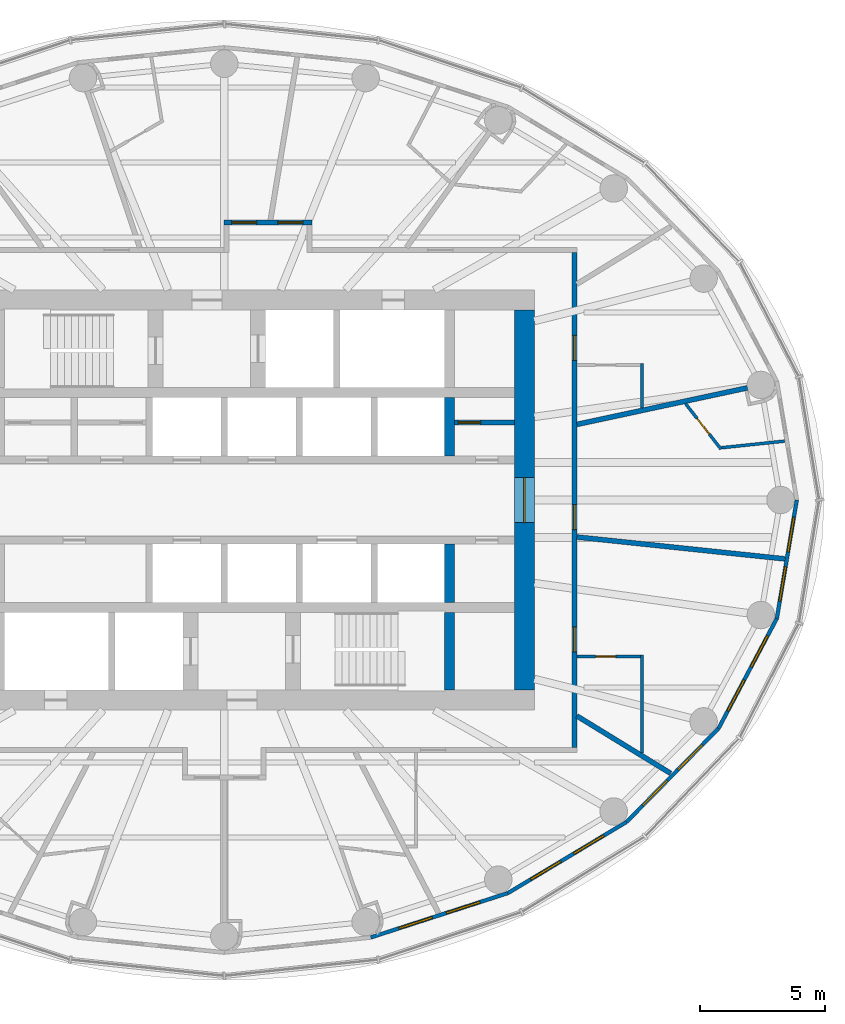
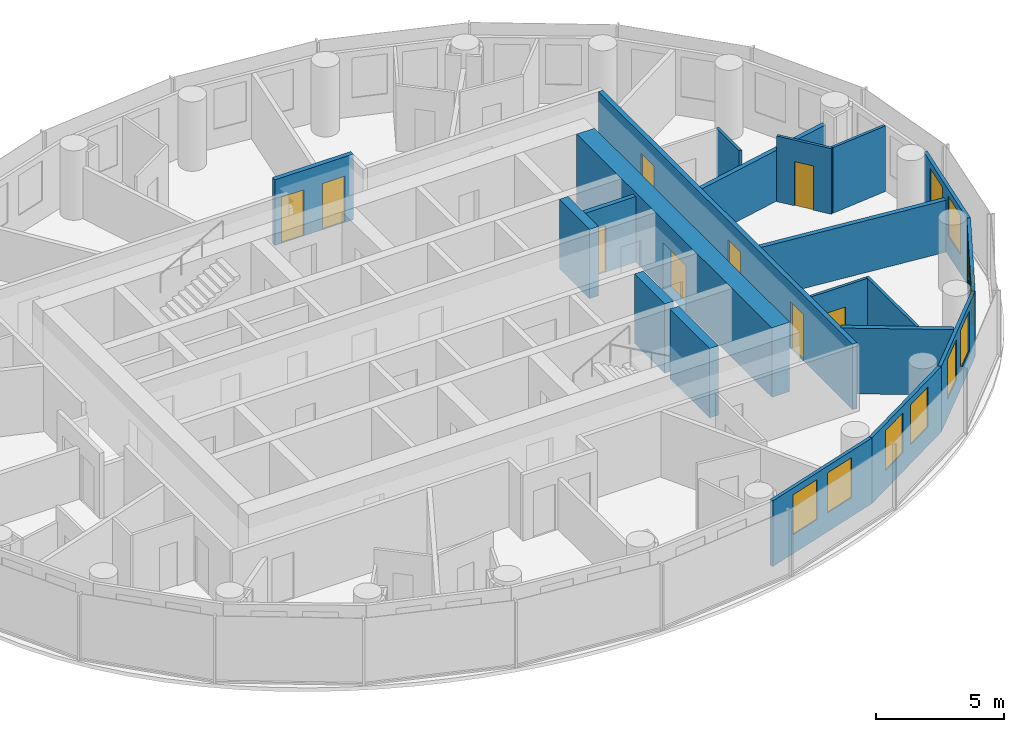
# One storey, part 10 of 13: 20 walls, 10 windows, 9 doors, 19 openings.
"""IFC4 building model written with IfcOpenShell, lengths in metres."""

from ifc_helpers import new_model, si_unit, direction, frame, frame_2d, origin, place, context, subcontext, project, spatial, rectangle, extrude, material, layer, layer_set, type_object, element, fill, save


model = new_model("IFC4")

# Units and contexts
model_context = context("Model", 3, precision=1e-05, world=origin(), true_north=direction((0.0, 1.0)))
body_context = subcontext(model_context, "Body", "Model", "MODEL_VIEW")
ifc_project = project(units=[si_unit("LENGTHUNIT", "METRE"), si_unit("AREAUNIT", "SQUARE_METRE"), si_unit("VOLUMEUNIT", "CUBIC_METRE"), si_unit("PLANEANGLEUNIT", "RADIAN"), si_unit("MASSUNIT", "GRAM", prefix="KILO")], contexts=[model_context])

# Site, building, storey
site_placement = place(None, origin())
site = spatial("IfcSite", under=ifc_project, at=site_placement, CompositionType="ELEMENT")
building_placement = place(site_placement, origin())
building = spatial("IfcBuilding", under=site, at=building_placement, Name="Hankou Lantern Tower", CompositionType="ELEMENT")
storey_placement = place(building_placement, frame((0.0, 0.0, 156.60009765625)))
storey = spatial("IfcBuildingStorey", under=building, at=storey_placement, Name="L41", CompositionType="ELEMENT", Elevation=156.60009765625)

# Wall, opening, door
ifc_material_1 = material(Name="Concrete C60", Category="concrete")
ifc_layer_1 = layer(ifc_material_1, 0.800048828125)
ifc_layer_set_1 = layer_set([ifc_layer_1], Name="Concrete C60")
wall_type_1 = type_object("IfcWallType", Name="CW2 CORE WALL 800", PredefinedType="SHEAR", material=ifc_layer_set_1)
wall_1_placement = place(storey_placement, frame((12.0, -7.60009765625, 0.0), z_axis=(0.0, 0.0, 1.0), x_axis=(0.0, 1.0, 0.0)))
wall_1 = element("IfcWall", 1, at=wall_1_placement, inside=storey, type_object=wall_type_1, Name="Core wall east L41", PredefinedType="SHEAR", context=body_context, shape_type="SweptSolid", body=[
    extrude(rectangle(XDim=15.2001953125, YDim=0.800048828125, at=frame_2d((7.60009765625, 0.0))), origin(), (0.0, 0.0, 1.0), 3.2998046875),
])
opening_1_placement = place(wall_1_placement, frame((6.699951171875, 0.0, 0.0)))
opening_1 = element("IfcOpeningElement", 2, at=opening_1_placement, cuts=wall_1, Name="Opening D6", PredefinedType="OPENING", context=body_context, shape_type="SweptSolid", body=[
    extrude(rectangle(XDim=1.800048828125, YDim=2.199951171875, at=frame_2d((0.89990234375, 1.10009765625))), frame((0.0, 0.409912109375, 0.0), z_axis=(0.0, -1.0, 0.0), x_axis=(1.0, 0.0, 0.0)), (0.0, 0.0, 1.0), 0.820068359375),
])
ifc_material_2 = material(Name="Steel door leaf", Category="steel")
door_type_1 = type_object("IfcDoorType", Name="D6 LIFT LOBBY DOOR 1800X2200", OperationType="DOUBLE_DOOR_DOUBLE_SWING", PredefinedType="DOOR", material=ifc_material_2)
door_1_placement = place(opening_1_placement, origin())
door_1 = element("IfcDoor", 3, at=door_1_placement, inside=storey, type_object=door_type_1, Name="Lift lobby east door", OperationType="DOUBLE_DOOR_DOUBLE_SWING", OverallHeight=2.199951171875, OverallWidth=1.800048828125, PredefinedType="DOOR", context=body_context, shape_type="SweptSolid", body=[
    extrude(rectangle(XDim=1.800048828125, YDim=2.199951171875, at=frame_2d((0.89990234375, 1.10009765625))), frame((0.0, 0.02490234375, 0.0), z_axis=(0.0, -1.0, 0.0), x_axis=(1.0, 0.0, 0.0)), (0.0, 0.0, 1.0), 0.050048828125),
])
fill(opening_1, door_1)

# Walls
ifc_material_3 = material(Name="Concrete C60", Category="concrete")
ifc_layer_2 = layer(ifc_material_3, 0.39990234375)
ifc_layer_set_2 = layer_set([ifc_layer_2], Name="Concrete C60")
wall_type_2 = type_object("IfcWallType", Name="CW4 CORE CROSS WALL 400", PredefinedType="SHEAR", material=ifc_layer_set_2)
for number, where, z_axis, x_axis, name in (
    (4, (9.0, 1.75, 0.0), (0.0, 0.0, 1.0), (0.0, 1.0, 0.0), "Core strip wall L41"),
    (5, (9.0, -4.10009765625, 0.0), (0.0, 0.0, 1.0), (0.0, 1.0, 0.0), "Core strip wall L41"),
):
    element("IfcWall", number, at=place(storey_placement, frame(where, z_axis=z_axis, x_axis=x_axis)), inside=storey, type_object=wall_type_2, Name=name, PredefinedType="SHEAR", context=body_context, shape_type="SweptSolid", body=[
        extrude(rectangle(XDim=2.35009765625, YDim=0.39990234375, at=frame_2d((1.175048828125, 0.0))), origin(), (0.0, 0.0, 1.0), 3.2998046875),
    ])
wall_2_placement = place(storey_placement, frame((9.0, -7.60009765625, 0.0), z_axis=(0.0, 0.0, 1.0), x_axis=(0.0, 1.0, 0.0)))
element("IfcWall", 6, at=wall_2_placement, inside=storey, type_object=wall_type_2, Name="Core strip wall L41", PredefinedType="SHEAR", context=body_context, shape_type="SweptSolid", body=[
    extrude(rectangle(XDim=3.10009765625, YDim=0.39990234375, at=frame_2d((1.550048828125, 0.0))), origin(), (0.0, 0.0, 1.0), 3.2998046875),
])

# Wall, openings, windows
ifc_material_4 = material(Name="Aluminium spandrel panel on steel studs", Category="steel")
ifc_layer_3 = layer(ifc_material_4, 0.14990234375)
ifc_layer_set_3 = layer_set([ifc_layer_3], Name="Aluminium spandrel panel on steel studs")
wall_type_3 = type_object("IfcWallType", Name="EW1 INNER SKIN WALL 150", PredefinedType="ELEMENTEDWALL", material=ifc_layer_set_3)
wall_3_placement = place(storey_placement, frame((5.8603515625, -17.497314453125, 0.0), z_axis=(0.0, 0.0, 1.0), x_axis=(0.951432482129, 0.307857486429, 0.0)))
wall_3 = element("IfcWall", 7, at=wall_3_placement, inside=storey, type_object=wall_type_3, Name="Inner skin R20-R21 L41", PredefinedType="ELEMENTEDWALL", context=body_context, shape_type="SweptSolid", body=[
    extrude(rectangle(XDim=5.76611328125, YDim=0.14990234375, at=frame_2d((2.883056640625, 0.0))), origin(), (0.0, 0.0, 1.0), 3.119873046875),
])
opening_2_placement = place(wall_3_placement, frame((1.18310546875, 0.0, 0.89990234375)))
opening_2 = element("IfcOpeningElement", 8, at=opening_2_placement, cuts=wall_3, Name="Opening W3", PredefinedType="OPENING", context=body_context, shape_type="SweptSolid", body=[
    extrude(rectangle(XDim=1.39990234375, YDim=1.89990234375, at=frame_2d((0.699951171875, 0.949951171875))), frame((0.0, 0.0849609375, 0.0), z_axis=(0.0, -1.0, 0.0), x_axis=(1.0, 0.0, 0.0)), (0.0, 0.0, 1.0), 0.169921875),
])
opening_3_placement = place(wall_3_placement, frame((3.18310546875, 0.0, 0.89990234375)))
opening_3 = element("IfcOpeningElement", 9, at=opening_3_placement, cuts=wall_3, Name="Opening W3", PredefinedType="OPENING", context=body_context, shape_type="SweptSolid", body=[
    extrude(rectangle(XDim=1.39990234375, YDim=1.89990234375, at=frame_2d((0.699951171875, 0.949951171875))), frame((0.0, 0.0849609375, 0.0), z_axis=(0.0, -1.0, 0.0), x_axis=(1.0, 0.0, 0.0)), (0.0, 0.0, 1.0), 0.169921875),
])
ifc_material_5 = material(Name="Aluminium framed double glazed window", Category="aluminium")
window_type = type_object("IfcWindowType", Name="W3 GUEST ROOM WINDOW 1400X1900", PartitioningType="DOUBLE_PANEL_VERTICAL", PredefinedType="WINDOW", material=ifc_material_5)
window_1_placement = place(opening_2_placement, origin())
window_1 = element("IfcWindow", 10, at=window_1_placement, inside=storey, type_object=window_type, Name="Window R20.1 L41", OverallHeight=1.89990234375, OverallWidth=1.39990234375, PartitioningType="SINGLE_PANEL", PredefinedType="WINDOW", context=body_context, shape_type="SweptSolid", body=[
    extrude(rectangle(XDim=1.39990234375, YDim=1.89990234375, at=frame_2d((0.699951171875, 0.949951171875))), frame((0.0, 0.030029296875, 0.0), z_axis=(0.0, -1.0, 0.0), x_axis=(1.0, 0.0, 0.0)), (0.0, 0.0, 1.0), 0.06005859375),
])
fill(opening_2, window_1)
window_2_placement = place(opening_3_placement, origin())
window_2 = element("IfcWindow", 11, at=window_2_placement, inside=storey, type_object=window_type, Name="Window R20.2 L41", OverallHeight=1.89990234375, OverallWidth=1.39990234375, PartitioningType="SINGLE_PANEL", PredefinedType="WINDOW", context=body_context, shape_type="SweptSolid", body=[
    extrude(rectangle(XDim=1.39990234375, YDim=1.89990234375, at=frame_2d((0.699951171875, 0.949951171875))), frame((0.0, 0.030029296875, 0.0), z_axis=(0.0, -1.0, 0.0), x_axis=(1.0, 0.0, 0.0)), (0.0, 0.0, 1.0), 0.06005859375),
])
fill(opening_3, window_2)

wall_4_placement = place(storey_placement, frame((11.346435546875, -15.72216796875, 0.0), z_axis=(0.0, 0.0, 1.0), x_axis=(0.857695199231, 0.514158482587, 0.0)))
wall_4 = element("IfcWall", 12, at=wall_4_placement, inside=storey, type_object=wall_type_3, Name="Inner skin R21-R22 L41", PredefinedType="ELEMENTEDWALL", context=body_context, shape_type="SweptSolid", body=[
    extrude(rectangle(XDim=5.5361328125, YDim=0.14990234375, at=frame_2d((2.76806640625, 0.0))), origin(), (0.0, 0.0, 1.0), 3.119873046875),
])
opening_4_placement = place(wall_4_placement, frame((1.068115234375, 0.0, 0.89990234375)))
opening_4 = element("IfcOpeningElement", 13, at=opening_4_placement, cuts=wall_4, Name="Opening W3", PredefinedType="OPENING", context=body_context, shape_type="SweptSolid", body=[
    extrude(rectangle(XDim=1.39990234375, YDim=1.89990234375, at=frame_2d((0.699951171875, 0.949951171875))), frame((0.0, 0.0849609375, 0.0), z_axis=(0.0, -1.0, 0.0), x_axis=(1.0, 0.0, 0.0)), (0.0, 0.0, 1.0), 0.169921875),
])
opening_5_placement = place(wall_4_placement, frame((3.068115234375, 0.0, 0.89990234375)))
opening_5 = element("IfcOpeningElement", 14, at=opening_5_placement, cuts=wall_4, Name="Opening W3", PredefinedType="OPENING", context=body_context, shape_type="SweptSolid", body=[
    extrude(rectangle(XDim=1.39990234375, YDim=1.89990234375, at=frame_2d((0.699951171875, 0.949951171875))), frame((0.0, 0.0849609375, 0.0), z_axis=(0.0, -1.0, 0.0), x_axis=(1.0, 0.0, 0.0)), (0.0, 0.0, 1.0), 0.169921875),
])
window_3_placement = place(opening_4_placement, origin())
window_3 = element("IfcWindow", 15, at=window_3_placement, inside=storey, type_object=window_type, Name="Window R21.1 L41", OverallHeight=1.89990234375, OverallWidth=1.39990234375, PartitioningType="SINGLE_PANEL", PredefinedType="WINDOW", context=body_context, shape_type="SweptSolid", body=[
    extrude(rectangle(XDim=1.39990234375, YDim=1.89990234375, at=frame_2d((0.699951171875, 0.949951171875))), frame((0.0, 0.030029296875, 0.0), z_axis=(0.0, -1.0, 0.0), x_axis=(1.0, 0.0, 0.0)), (0.0, 0.0, 1.0), 0.06005859375),
])
fill(opening_4, window_3)
window_4_placement = place(opening_5_placement, origin())
window_4 = element("IfcWindow", 16, at=window_4_placement, inside=storey, type_object=window_type, Name="Window R21.2 L41", OverallHeight=1.89990234375, OverallWidth=1.39990234375, PartitioningType="SINGLE_PANEL", PredefinedType="WINDOW", context=body_context, shape_type="SweptSolid", body=[
    extrude(rectangle(XDim=1.39990234375, YDim=1.89990234375, at=frame_2d((0.699951171875, 0.949951171875))), frame((0.0, 0.030029296875, 0.0), z_axis=(0.0, -1.0, 0.0), x_axis=(1.0, 0.0, 0.0)), (0.0, 0.0, 1.0), 0.06005859375),
])
fill(opening_5, window_4)

wall_5_placement = place(storey_placement, frame((16.0947265625, -12.875732421875, 0.0), z_axis=(0.0, 0.0, 1.0), x_axis=(0.700727467776, 0.71342905457, 0.0)))
wall_5 = element("IfcWall", 17, at=wall_5_placement, inside=storey, type_object=wall_type_3, Name="Inner skin R22-R23 L41", PredefinedType="ELEMENTEDWALL", context=body_context, shape_type="SweptSolid", body=[
    extrude(rectangle(XDim=5.247314453125, YDim=0.14990234375, at=frame_2d((2.62353515625, 0.0))), origin(), (0.0, 0.0, 1.0), 3.119873046875),
])
opening_6_placement = place(wall_5_placement, frame((0.923583984375, 0.0, 0.89990234375)))
opening_6 = element("IfcOpeningElement", 18, at=opening_6_placement, cuts=wall_5, Name="Opening W3", PredefinedType="OPENING", context=body_context, shape_type="SweptSolid", body=[
    extrude(rectangle(XDim=1.39990234375, YDim=1.89990234375, at=frame_2d((0.699951171875, 0.949951171875))), frame((0.0, 0.0849609375, 0.0), z_axis=(0.0, -1.0, 0.0), x_axis=(1.0, 0.0, 0.0)), (0.0, 0.0, 1.0), 0.169921875),
])
opening_7_placement = place(wall_5_placement, frame((2.923583984375, 0.0, 0.89990234375)))
opening_7 = element("IfcOpeningElement", 19, at=opening_7_placement, cuts=wall_5, Name="Opening W3", PredefinedType="OPENING", context=body_context, shape_type="SweptSolid", body=[
    extrude(rectangle(XDim=1.39990234375, YDim=1.89990234375, at=frame_2d((0.699951171875, 0.949951171875))), frame((0.0, 0.0849609375, 0.0), z_axis=(0.0, -1.0, 0.0), x_axis=(1.0, 0.0, 0.0)), (0.0, 0.0, 1.0), 0.169921875),
])
window_5_placement = place(opening_6_placement, origin())
window_5 = element("IfcWindow", 20, at=window_5_placement, inside=storey, type_object=window_type, Name="Window R22.1 L41", OverallHeight=1.89990234375, OverallWidth=1.39990234375, PartitioningType="SINGLE_PANEL", PredefinedType="WINDOW", context=body_context, shape_type="SweptSolid", body=[
    extrude(rectangle(XDim=1.39990234375, YDim=1.89990234375, at=frame_2d((0.699951171875, 0.949951171875))), frame((0.0, 0.030029296875, 0.0), z_axis=(0.0, -1.0, 0.0), x_axis=(1.0, 0.0, 0.0)), (0.0, 0.0, 1.0), 0.06005859375),
])
fill(opening_6, window_5)
window_6_placement = place(opening_7_placement, origin())
window_6 = element("IfcWindow", 21, at=window_6_placement, inside=storey, type_object=window_type, Name="Window R22.2 L41", OverallHeight=1.89990234375, OverallWidth=1.39990234375, PartitioningType="SINGLE_PANEL", PredefinedType="WINDOW", context=body_context, shape_type="SweptSolid", body=[
    extrude(rectangle(XDim=1.39990234375, YDim=1.89990234375, at=frame_2d((0.699951171875, 0.949951171875))), frame((0.0, 0.030029296875, 0.0), z_axis=(0.0, -1.0, 0.0), x_axis=(1.0, 0.0, 0.0)), (0.0, 0.0, 1.0), 0.06005859375),
])
fill(opening_7, window_6)

wall_6_placement = place(storey_placement, frame((19.771728515625, -9.132080078125, 0.0), z_axis=(0.0, 0.0, 1.0), x_axis=(0.468428906714, 0.883501193748, 0.0)))
wall_6 = element("IfcWall", 22, at=wall_6_placement, inside=storey, type_object=wall_type_3, Name="Inner skin R23-R24 L41", PredefinedType="ELEMENTEDWALL", context=body_context, shape_type="SweptSolid", body=[
    extrude(rectangle(XDim=4.9736328125, YDim=0.14990234375, at=frame_2d((2.48681640625, 0.0))), origin(), (0.0, 0.0, 1.0), 3.119873046875),
])
opening_8_placement = place(wall_6_placement, frame((0.786865234375, 0.0, 0.89990234375)))
opening_8 = element("IfcOpeningElement", 23, at=opening_8_placement, cuts=wall_6, Name="Opening W3", PredefinedType="OPENING", context=body_context, shape_type="SweptSolid", body=[
    extrude(rectangle(XDim=1.39990234375, YDim=1.89990234375, at=frame_2d((0.699951171875, 0.949951171875))), frame((0.0, 0.0849609375, 0.0), z_axis=(0.0, -1.0, 0.0), x_axis=(1.0, 0.0, 0.0)), (0.0, 0.0, 1.0), 0.169921875),
])
opening_9_placement = place(wall_6_placement, frame((2.786865234375, 0.0, 0.89990234375)))
opening_9 = element("IfcOpeningElement", 24, at=opening_9_placement, cuts=wall_6, Name="Opening W3", PredefinedType="OPENING", context=body_context, shape_type="SweptSolid", body=[
    extrude(rectangle(XDim=1.39990234375, YDim=1.89990234375, at=frame_2d((0.699951171875, 0.949951171875))), frame((0.0, 0.0849609375, 0.0), z_axis=(0.0, -1.0, 0.0), x_axis=(1.0, 0.0, 0.0)), (0.0, 0.0, 1.0), 0.169921875),
])
window_7_placement = place(opening_8_placement, origin())
window_7 = element("IfcWindow", 25, at=window_7_placement, inside=storey, type_object=window_type, Name="Window R23.1 L41", OverallHeight=1.89990234375, OverallWidth=1.39990234375, PartitioningType="SINGLE_PANEL", PredefinedType="WINDOW", context=body_context, shape_type="SweptSolid", body=[
    extrude(rectangle(XDim=1.39990234375, YDim=1.89990234375, at=frame_2d((0.699951171875, 0.949951171875))), frame((0.0, 0.030029296875, 0.0), z_axis=(0.0, -1.0, 0.0), x_axis=(1.0, 0.0, 0.0)), (0.0, 0.0, 1.0), 0.06005859375),
])
fill(opening_8, window_7)
window_8_placement = place(opening_9_placement, origin())
window_8 = element("IfcWindow", 26, at=window_8_placement, inside=storey, type_object=window_type, Name="Window R23.2 L41", OverallHeight=1.89990234375, OverallWidth=1.39990234375, PartitioningType="SINGLE_PANEL", PredefinedType="WINDOW", context=body_context, shape_type="SweptSolid", body=[
    extrude(rectangle(XDim=1.39990234375, YDim=1.89990234375, at=frame_2d((0.699951171875, 0.949951171875))), frame((0.0, 0.030029296875, 0.0), z_axis=(0.0, -1.0, 0.0), x_axis=(1.0, 0.0, 0.0)), (0.0, 0.0, 1.0), 0.06005859375),
])
fill(opening_9, window_8)

wall_7_placement = place(storey_placement, frame((22.1015625, -4.73779296875, 0.0), z_axis=(0.0, 0.0, 1.0), x_axis=(0.166162111254, 0.986098449843, 0.0)))
wall_7 = element("IfcWall", 27, at=wall_7_placement, inside=storey, type_object=wall_type_3, Name="Inner skin R24-R01 L41", PredefinedType="ELEMENTEDWALL", context=body_context, shape_type="SweptSolid", body=[
    extrude(rectangle(XDim=4.8046875, YDim=0.14990234375, at=frame_2d((2.40234375, 0.0))), origin(), (0.0, 0.0, 1.0), 3.119873046875),
])
opening_10_placement = place(wall_7_placement, frame((0.7021484375, 0.0, 0.89990234375)))
opening_10 = element("IfcOpeningElement", 28, at=opening_10_placement, cuts=wall_7, Name="Opening W3", PredefinedType="OPENING", context=body_context, shape_type="SweptSolid", body=[
    extrude(rectangle(XDim=1.39990234375, YDim=1.89990234375, at=frame_2d((0.699951171875, 0.949951171875))), frame((0.0, 0.0849609375, 0.0), z_axis=(0.0, -1.0, 0.0), x_axis=(1.0, 0.0, 0.0)), (0.0, 0.0, 1.0), 0.169921875),
])
opening_11_placement = place(wall_7_placement, frame((2.7021484375, 0.0, 0.89990234375)))
opening_11 = element("IfcOpeningElement", 29, at=opening_11_placement, cuts=wall_7, Name="Opening W3", PredefinedType="OPENING", context=body_context, shape_type="SweptSolid", body=[
    extrude(rectangle(XDim=1.39990234375, YDim=1.89990234375, at=frame_2d((0.699951171875, 0.949951171875))), frame((0.0, 0.0849609375, 0.0), z_axis=(0.0, -1.0, 0.0), x_axis=(1.0, 0.0, 0.0)), (0.0, 0.0, 1.0), 0.169921875),
])
window_9_placement = place(opening_10_placement, origin())
window_9 = element("IfcWindow", 30, at=window_9_placement, inside=storey, type_object=window_type, Name="Window R24.1 L41", OverallHeight=1.89990234375, OverallWidth=1.39990234375, PartitioningType="SINGLE_PANEL", PredefinedType="WINDOW", context=body_context, shape_type="SweptSolid", body=[
    extrude(rectangle(XDim=1.39990234375, YDim=1.89990234375, at=frame_2d((0.699951171875, 0.949951171875))), frame((0.0, 0.030029296875, 0.0), z_axis=(0.0, -1.0, 0.0), x_axis=(1.0, 0.0, 0.0)), (0.0, 0.0, 1.0), 0.06005859375),
])
fill(opening_10, window_9)
window_10_placement = place(opening_11_placement, origin())
window_10 = element("IfcWindow", 31, at=window_10_placement, inside=storey, type_object=window_type, Name="Window R24.2 L41", OverallHeight=1.89990234375, OverallWidth=1.39990234375, PartitioningType="SINGLE_PANEL", PredefinedType="WINDOW", context=body_context, shape_type="SweptSolid", body=[
    extrude(rectangle(XDim=1.39990234375, YDim=1.89990234375, at=frame_2d((0.699951171875, 0.949951171875))), frame((0.0, 0.030029296875, 0.0), z_axis=(0.0, -1.0, 0.0), x_axis=(1.0, 0.0, 0.0)), (0.0, 0.0, 1.0), 0.06005859375),
])
fill(opening_11, window_10)

# Walls
ifc_material_6 = material(Name="Masonry lightweight concrete block", Category="masonry")
ifc_layer_4 = layer(ifc_material_6, 0.199951171875)
ifc_layer_set_4 = layer_set([ifc_layer_4], Name="Masonry lightweight concrete block")
wall_type_4 = type_object("IfcWallType", Name="IW1 GUEST ROOM PARTY WALL 200", PredefinedType="PARTITIONING", material=ifc_layer_set_4)
wall_8_placement = place(storey_placement, frame((14.10009765625, 3.0224609375, 0.0), z_axis=(0.0, 0.0, 1.0), x_axis=(0.977790639684, 0.209584028367, 0.0)))
element("IfcWall", 32, at=wall_8_placement, inside=storey, type_object=wall_type_4, Name="Party wall R02", PredefinedType="PARTITIONING", context=body_context, shape_type="SweptSolid", body=[
    extrude(rectangle(XDim=6.97998046875, YDim=0.199951171875, at=frame_2d((3.489990234375, 0.0))), origin(), (0.0, 0.0, 1.0), 2.419921875),
])
wall_9_placement = place(storey_placement, frame((14.10009765625, -8.63623046875, 0.0), z_axis=(0.0, 0.0, 1.0), x_axis=(0.852731884196, -0.522348862041, 0.0)))
element("IfcWall", 33, at=wall_9_placement, inside=storey, type_object=wall_type_4, Name="Party wall R22-R23", PredefinedType="PARTITIONING", context=body_context, shape_type="SweptSolid", body=[
    extrude(rectangle(XDim=4.404296875, YDim=0.199951171875, at=frame_2d((2.2021484375, 0.0))), origin(), (0.0, 0.0, 1.0), 3.119873046875),
])
wall_10_placement = place(storey_placement, frame((14.10009765625, -1.4814453125, 0.0), z_axis=(0.0, 0.0, 1.0), x_axis=(0.994524794819, -0.104500873159, 0.0)))
element("IfcWall", 34, at=wall_10_placement, inside=storey, type_object=wall_type_4, Name="Party wall R24-R01", PredefinedType="PARTITIONING", context=body_context, shape_type="SweptSolid", body=[
    extrude(rectangle(XDim=8.361572265625, YDim=0.199951171875, at=frame_2d((4.1806640625, 0.0))), origin(), (0.0, 0.0, 1.0), 2.469970703125),
])

# Wall, openings, doors
ifc_material_7 = material(Name="Masonry lightweight concrete block", Category="masonry")
ifc_layer_5 = layer(ifc_material_7, 0.199951171875)
ifc_layer_set_5 = layer_set([ifc_layer_5], Name="Masonry lightweight concrete block")
wall_type_5 = type_object("IfcWallType", Name="IW2 CORRIDOR WALL 200", PredefinedType="PARTITIONING", material=ifc_layer_set_5)
wall_11_placement = place(storey_placement, frame((14.0, -9.89990234375, 0.0), z_axis=(0.0, 0.0, 1.0), x_axis=(0.0, 1.0, 0.0)))
wall_11 = element("IfcWall", 35, at=wall_11_placement, inside=storey, type_object=wall_type_5, Name="Corridor wall east", PredefinedType="PARTITIONING", context=body_context, shape_type="SweptSolid", body=[
    extrude(rectangle(XDim=19.7998046875, YDim=0.199951171875, at=frame_2d((9.89990234375, 0.0))), origin(), (0.0, 0.0, 1.0), 3.119873046875),
])
opening_12_placement = place(wall_11_placement, frame((3.82373046875, 0.0, 0.0)))
opening_12 = element("IfcOpeningElement", 36, at=opening_12_placement, cuts=wall_11, Name="Opening D2", PredefinedType="OPENING", context=body_context, shape_type="SweptSolid", body=[
    extrude(rectangle(XDim=1.0, YDim=2.199951171875, at=frame_2d((0.5, 1.10009765625))), frame((0.0, 0.10986328125, 0.0), z_axis=(0.0, -1.0, 0.0), x_axis=(1.0, 0.0, 0.0)), (0.0, 0.0, 1.0), 0.219970703125),
])
opening_13_placement = place(wall_11_placement, frame((8.718505859375, 0.0, 0.0)))
opening_13 = element("IfcOpeningElement", 37, at=opening_13_placement, cuts=wall_11, Name="Opening D1", PredefinedType="OPENING", context=body_context, shape_type="SweptSolid", body=[
    extrude(rectangle(XDim=1.0, YDim=2.199951171875, at=frame_2d((0.5, 1.10009765625))), frame((0.0, 0.10986328125, 0.0), z_axis=(0.0, -1.0, 0.0), x_axis=(1.0, 0.0, 0.0)), (0.0, 0.0, 1.0), 0.219970703125),
])
opening_14_placement = place(wall_11_placement, frame((15.482421875, 0.0, 0.0)))
opening_14 = element("IfcOpeningElement", 38, at=opening_14_placement, cuts=wall_11, Name="Opening D1", PredefinedType="OPENING", context=body_context, shape_type="SweptSolid", body=[
    extrude(rectangle(XDim=1.0, YDim=2.199951171875, at=frame_2d((0.5, 1.10009765625))), frame((0.0, 0.10986328125, 0.0), z_axis=(0.0, -1.0, 0.0), x_axis=(1.0, 0.0, 0.0)), (0.0, 0.0, 1.0), 0.219970703125),
])
ifc_material_8 = material(Name="Steel door leaf", Category="steel")
door_type_2 = type_object("IfcDoorType", Name="D1 GUEST ROOM DOOR 1000X2200", OperationType="SINGLE_SWING_LEFT", PredefinedType="DOOR", material=ifc_material_8)
door_2_placement = place(opening_13_placement, origin())
door_2 = element("IfcDoor", 39, at=door_2_placement, inside=storey, type_object=door_type_2, Name="Guest room door 4111", OperationType="SINGLE_SWING_LEFT", OverallHeight=2.199951171875, OverallWidth=1.0, PredefinedType="DOOR", context=body_context, shape_type="SweptSolid", body=[
    extrude(rectangle(XDim=1.0, YDim=2.199951171875, at=frame_2d((0.5, 1.10009765625))), frame((0.0, 0.02490234375, 0.0), z_axis=(0.0, -1.0, 0.0), x_axis=(1.0, 0.0, 0.0)), (0.0, 0.0, 1.0), 0.050048828125),
])
fill(opening_13, door_2)
door_3_placement = place(opening_14_placement, origin())
door_3 = element("IfcDoor", 40, at=door_3_placement, inside=storey, type_object=door_type_2, Name="Guest room door 4112", OperationType="SINGLE_SWING_RIGHT", OverallHeight=2.199951171875, OverallWidth=1.0, PredefinedType="DOOR", context=body_context, shape_type="SweptSolid", body=[
    extrude(rectangle(XDim=1.0, YDim=2.199951171875, at=frame_2d((0.5, 1.10009765625))), frame((0.0, 0.02490234375, 0.0), z_axis=(0.0, -1.0, 0.0), x_axis=(1.0, 0.0, 0.0)), (0.0, 0.0, 1.0), 0.050048828125),
])
fill(opening_14, door_3)
ifc_material_9 = material(Name="Steel door leaf", Category="steel")
door_type_3 = type_object("IfcDoorType", Name="D2 SUITE DOOR 1000X2200", OperationType="SINGLE_SWING_LEFT", PredefinedType="DOOR", material=ifc_material_9)
door_4_placement = place(opening_12_placement, origin())
door_4 = element("IfcDoor", 41, at=door_4_placement, inside=storey, type_object=door_type_3, Name="Suite door 4110", OperationType="SINGLE_SWING_LEFT", OverallHeight=2.199951171875, OverallWidth=1.0, PredefinedType="DOOR", context=body_context, shape_type="SweptSolid", body=[
    extrude(rectangle(XDim=1.0, YDim=2.199951171875, at=frame_2d((0.5, 1.10009765625))), frame((0.0, 0.02490234375, 0.0), z_axis=(0.0, -1.0, 0.0), x_axis=(1.0, 0.0, 0.0)), (0.0, 0.0, 1.0), 0.050048828125),
])
fill(opening_12, door_4)

wall_12_placement = place(storey_placement, frame((-0.005859375, 11.10009765625, 0.0), z_axis=(0.0, 0.0, 1.0), x_axis=(1.0, 0.0, 0.0)))
wall_12 = element("IfcWall", 42, at=wall_12_placement, inside=storey, type_object=wall_type_5, Name="Corridor alcove wall 4114-4115 back", PredefinedType="PARTITIONING", context=body_context, shape_type="SweptSolid", body=[
    extrude(rectangle(XDim=3.52392578125, YDim=0.199951171875, at=frame_2d((1.761962890625, 0.0))), origin(), (0.0, 0.0, 1.0), 3.119873046875),
])
opening_15_placement = place(wall_12_placement, frame((2.14501953125, 0.0, 0.0)))
opening_15 = element("IfcOpeningElement", 43, at=opening_15_placement, cuts=wall_12, Name="Opening D1", PredefinedType="OPENING", context=body_context, shape_type="SweptSolid", body=[
    extrude(rectangle(XDim=1.0, YDim=2.199951171875, at=frame_2d((0.5, 1.10009765625))), frame((0.0, 0.10986328125, 0.0), z_axis=(0.0, -1.0, 0.0), x_axis=(1.0, 0.0, 0.0)), (0.0, 0.0, 1.0), 0.219970703125),
])
opening_16_placement = place(wall_12_placement, frame((0.300048828125, 0.0, 0.0)))
opening_16 = element("IfcOpeningElement", 44, at=opening_16_placement, cuts=wall_12, Name="Opening D1", PredefinedType="OPENING", context=body_context, shape_type="SweptSolid", body=[
    extrude(rectangle(XDim=1.0, YDim=2.199951171875, at=frame_2d((0.5, 1.10009765625))), frame((0.0, 0.10986328125, 0.0), z_axis=(0.0, -1.0, 0.0), x_axis=(1.0, 0.0, 0.0)), (0.0, 0.0, 1.0), 0.219970703125),
])
door_5_placement = place(opening_15_placement, origin())
door_5 = element("IfcDoor", 45, at=door_5_placement, inside=storey, type_object=door_type_2, Name="Guest room door 4114", OperationType="SINGLE_SWING_LEFT", OverallHeight=2.199951171875, OverallWidth=1.0, PredefinedType="DOOR", context=body_context, shape_type="SweptSolid", body=[
    extrude(rectangle(XDim=1.0, YDim=2.199951171875, at=frame_2d((0.5, 1.10009765625))), frame((0.0, 0.02490234375, 0.0), z_axis=(0.0, -1.0, 0.0), x_axis=(1.0, 0.0, 0.0)), (0.0, 0.0, 1.0), 0.050048828125),
])
fill(opening_15, door_5)
door_6_placement = place(opening_16_placement, origin())
door_6 = element("IfcDoor", 46, at=door_6_placement, inside=storey, type_object=door_type_2, Name="Guest room door 4115", OperationType="SINGLE_SWING_RIGHT", OverallHeight=2.199951171875, OverallWidth=1.0, PredefinedType="DOOR", context=body_context, shape_type="SweptSolid", body=[
    extrude(rectangle(XDim=1.0, YDim=2.199951171875, at=frame_2d((0.5, 1.10009765625))), frame((0.0, 0.02490234375, 0.0), z_axis=(0.0, -1.0, 0.0), x_axis=(1.0, 0.0, 0.0)), (0.0, 0.0, 1.0), 0.050048828125),
])
fill(opening_16, door_6)

# Wall
ifc_material_10 = material(Name="Masonry lightweight concrete block", Category="masonry")
ifc_layer_6 = layer(ifc_material_10, 0.1201171875)
ifc_layer_set_6 = layer_set([ifc_layer_6], Name="Masonry lightweight concrete block")
wall_type_6 = type_object("IfcWallType", Name="IW3 BATHROOM WALL 120", PredefinedType="PARTITIONING", material=ifc_layer_set_6)
wall_13_placement = place(storey_placement, frame((16.699951171875, -10.12890625, 0.0), z_axis=(0.0, 0.0, 1.0), x_axis=(0.0, 1.0, 0.0)))
element("IfcWall", 47, at=wall_13_placement, inside=storey, type_object=wall_type_6, Name="Box wall 4110 1", PredefinedType="PARTITIONING", context=body_context, shape_type="SweptSolid", body=[
    extrude(rectangle(XDim=3.9326171875, YDim=0.1201171875, at=frame_2d((1.96630859375, 0.0))), origin(), (0.0, 0.0, 1.0), 3.119873046875),
])

# Wall, opening, door
wall_14_placement = place(storey_placement, frame((14.10009765625, -6.25634765625, 0.0), z_axis=(0.0, 0.0, 1.0), x_axis=(1.0, 0.0, 0.0)))
wall_14 = element("IfcWall", 48, at=wall_14_placement, inside=storey, type_object=wall_type_6, Name="Box wall 4110 1", PredefinedType="PARTITIONING", context=body_context, shape_type="SweptSolid", body=[
    extrude(rectangle(XDim=2.539794921875, YDim=0.1201171875, at=frame_2d((1.27001953125, 0.0))), origin(), (0.0, 0.0, 1.0), 3.119873046875),
])
opening_17_placement = place(wall_14_placement, frame((0.75, 0.0, 0.0)))
opening_17 = element("IfcOpeningElement", 49, at=opening_17_placement, cuts=wall_14, Name="Opening D3", PredefinedType="OPENING", context=body_context, shape_type="SweptSolid", body=[
    extrude(rectangle(XDim=0.800048828125, YDim=2.10009765625, at=frame_2d((0.39990234375, 1.050048828125))), frame((0.0, 0.070068359375, 0.0), z_axis=(0.0, -1.0, 0.0), x_axis=(1.0, 0.0, 0.0)), (0.0, 0.0, 1.0), 0.14013671875),
])
ifc_material_11 = material(Name="Timber door leaf", Category="wood")
door_type_4 = type_object("IfcDoorType", Name="D3 BATHROOM DOOR 800X2100", OperationType="SINGLE_SWING_LEFT", PredefinedType="DOOR", material=ifc_material_11)
door_7_placement = place(opening_17_placement, origin())
door_7 = element("IfcDoor", 50, at=door_7_placement, inside=storey, type_object=door_type_4, Name="Junior suite 4110 bathroom door", OperationType="SINGLE_SWING_LEFT", OverallHeight=2.10009765625, OverallWidth=0.800048828125, PredefinedType="DOOR", context=body_context, shape_type="SweptSolid", body=[
    extrude(rectangle(XDim=0.800048828125, YDim=2.10009765625, at=frame_2d((0.39990234375, 1.050048828125))), frame((0.0, 0.02490234375, 0.0), z_axis=(0.0, -1.0, 0.0), x_axis=(1.0, 0.0, 0.0)), (0.0, 0.0, 1.0), 0.050048828125),
])
fill(opening_17, door_7)

wall_15_placement = place(storey_placement, frame((18.450927734375, 3.852783203125, 0.0), z_axis=(0.0, 0.0, 1.0), x_axis=(0.614703538382, -0.788758239197, 0.0)))
wall_15 = element("IfcWall", 51, at=wall_15_placement, inside=storey, type_object=wall_type_6, Name="Box wall 4111 1", PredefinedType="PARTITIONING", context=body_context, shape_type="SweptSolid", body=[
    extrude(rectangle(XDim=2.30322265625, YDim=0.1201171875, at=frame_2d((1.151611328125, 0.0))), origin(), (0.0, 0.0, 1.0), 3.119873046875),
])
opening_18_placement = place(wall_15_placement, frame((0.751708984375, 0.0, 0.0)))
opening_18 = element("IfcOpeningElement", 52, at=opening_18_placement, cuts=wall_15, Name="Opening D3", PredefinedType="OPENING", context=body_context, shape_type="SweptSolid", body=[
    extrude(rectangle(XDim=0.800048828125, YDim=2.10009765625, at=frame_2d((0.39990234375, 1.050048828125))), frame((0.0, 0.070068359375, 0.0), z_axis=(0.0, -1.0, 0.0), x_axis=(1.0, 0.0, 0.0)), (0.0, 0.0, 1.0), 0.14013671875),
])
door_8_placement = place(opening_18_placement, origin())
door_8 = element("IfcDoor", 53, at=door_8_placement, inside=storey, type_object=door_type_4, Name="En-suite bathroom 4111 door", OperationType="SINGLE_SWING_LEFT", OverallHeight=2.10009765625, OverallWidth=0.800048828125, PredefinedType="DOOR", context=body_context, shape_type="SweptSolid", body=[
    extrude(rectangle(XDim=0.800048828125, YDim=2.10009765625, at=frame_2d((0.39990234375, 1.050048828125))), frame((0.0, 0.02490234375, 0.0), z_axis=(0.0, -1.0, 0.0), x_axis=(1.0, 0.0, 0.0)), (0.0, 0.0, 1.0), 0.050048828125),
])
fill(opening_18, door_8)

# Walls
wall_16_placement = place(storey_placement, frame((19.8896484375, 2.08984375, 0.0), z_axis=(0.0, 0.0, 1.0), x_axis=(0.994527025269, 0.104479644, 0.0)))
element("IfcWall", 54, at=wall_16_placement, inside=storey, type_object=wall_type_6, Name="Box wall 4111 2", PredefinedType="PARTITIONING", context=body_context, shape_type="SweptSolid", body=[
    extrude(rectangle(XDim=2.5400390625, YDim=0.1201171875, at=frame_2d((1.27001953125, 0.0))), origin(), (0.0, 0.0, 1.0), 3.119873046875),
])
wall_17_placement = place(storey_placement, frame((16.699951171875, 3.6796875, 0.0), z_axis=(0.0, 0.0, 1.0), x_axis=(0.0, 1.0, 0.0)))
element("IfcWall", 55, at=wall_17_placement, inside=storey, type_object=wall_type_6, Name="Box wall 4112 1", PredefinedType="PARTITIONING", context=body_context, shape_type="SweptSolid", body=[
    extrude(rectangle(XDim=1.78271484375, YDim=0.1201171875, at=frame_2d((0.891357421875, 0.0))), origin(), (0.0, 0.0, 1.0), 3.119873046875),
])

# Wall, opening, door
ifc_material_12 = material(Name="Masonry lightweight concrete block", Category="masonry")
ifc_layer_7 = layer(ifc_material_12, 0.199951171875)
ifc_layer_set_7 = layer_set([ifc_layer_7], Name="Masonry lightweight concrete block")
wall_type_7 = type_object("IfcWallType", Name="IW8 PARTITION 200", PredefinedType="PARTITIONING", material=ifc_layer_set_7)
wall_18_placement = place(storey_placement, frame((9.199951171875, 3.10009765625, 0.0), z_axis=(0.0, 0.0, 1.0), x_axis=(1.0, 0.0, 0.0)))
wall_18 = element("IfcWall", 56, at=wall_18_placement, inside=storey, type_object=wall_type_7, Name="Partition cleaner's store", PredefinedType="PARTITIONING", context=body_context, shape_type="SweptSolid", body=[
    extrude(rectangle(XDim=2.400146484375, YDim=0.199951171875, at=frame_2d((1.2001953125, 0.0))), origin(), (0.0, 0.0, 1.0), 3.119873046875),
])
opening_19_placement = place(wall_18_placement, frame((0.14990234375, 0.0, 0.0)))
opening_19 = element("IfcOpeningElement", 57, at=opening_19_placement, cuts=wall_18, Name="Opening D12", PredefinedType="OPENING", context=body_context, shape_type="SweptSolid", body=[
    extrude(rectangle(XDim=0.89990234375, YDim=2.199951171875, at=frame_2d((0.449951171875, 1.10009765625))), frame((0.0, 0.10986328125, 0.0), z_axis=(0.0, -1.0, 0.0), x_axis=(1.0, 0.0, 0.0)), (0.0, 0.0, 1.0), 0.219970703125),
])
ifc_material_13 = material(Name="Steel door leaf", Category="steel")
door_type_5 = type_object("IfcDoorType", Name="D12 STORE DOOR 900X2200", OperationType="SINGLE_SWING_LEFT", PredefinedType="DOOR", material=ifc_material_13)
door_9_placement = place(opening_19_placement, origin())
door_9 = element("IfcDoor", 58, at=door_9_placement, inside=storey, type_object=door_type_5, Name="Cleaning materials cupboard door", OperationType="SINGLE_SWING_LEFT", OverallHeight=2.199951171875, OverallWidth=0.89990234375, PredefinedType="DOOR", context=body_context, shape_type="SweptSolid", body=[
    extrude(rectangle(XDim=0.89990234375, YDim=2.199951171875, at=frame_2d((0.449951171875, 1.10009765625))), frame((0.0, 0.02490234375, 0.0), z_axis=(0.0, -1.0, 0.0), x_axis=(1.0, 0.0, 0.0)), (0.0, 0.0, 1.0), 0.050048828125),
])
fill(opening_19, door_9)

save(model, "model.ifc")
